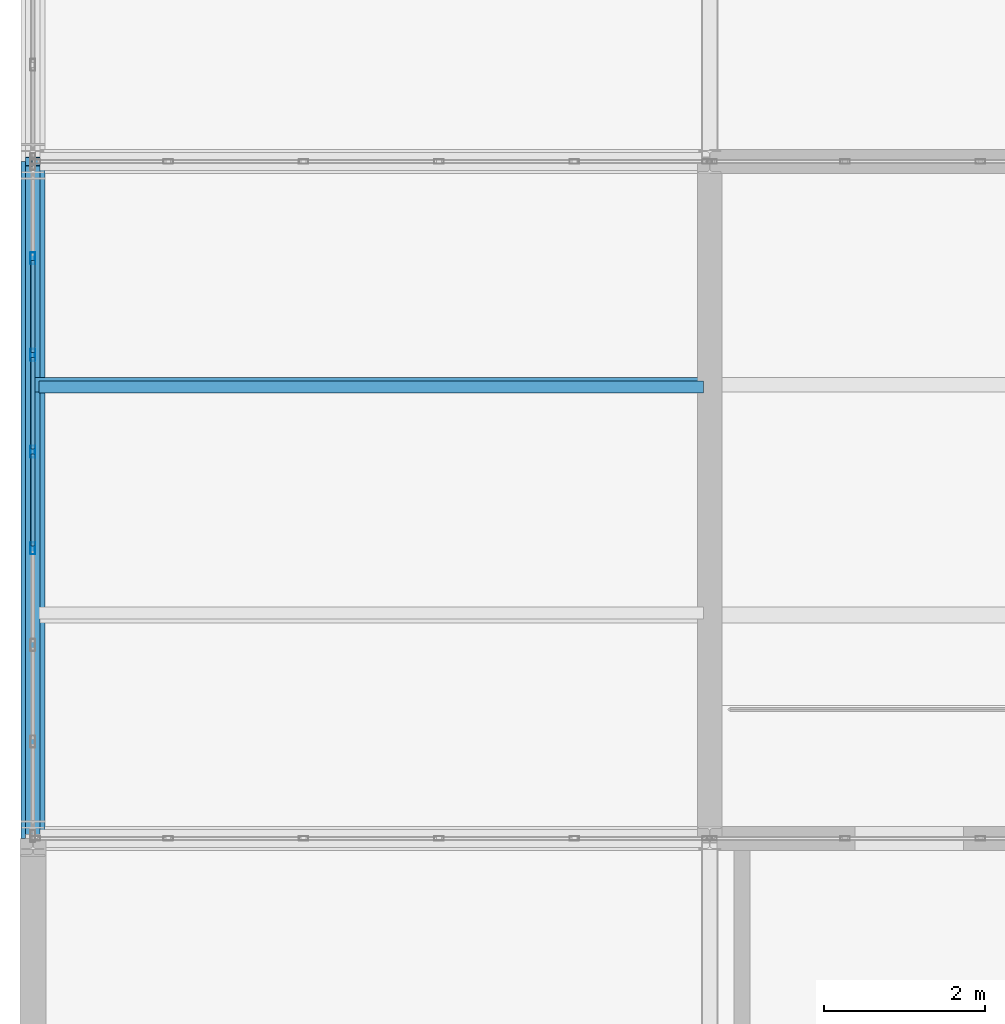
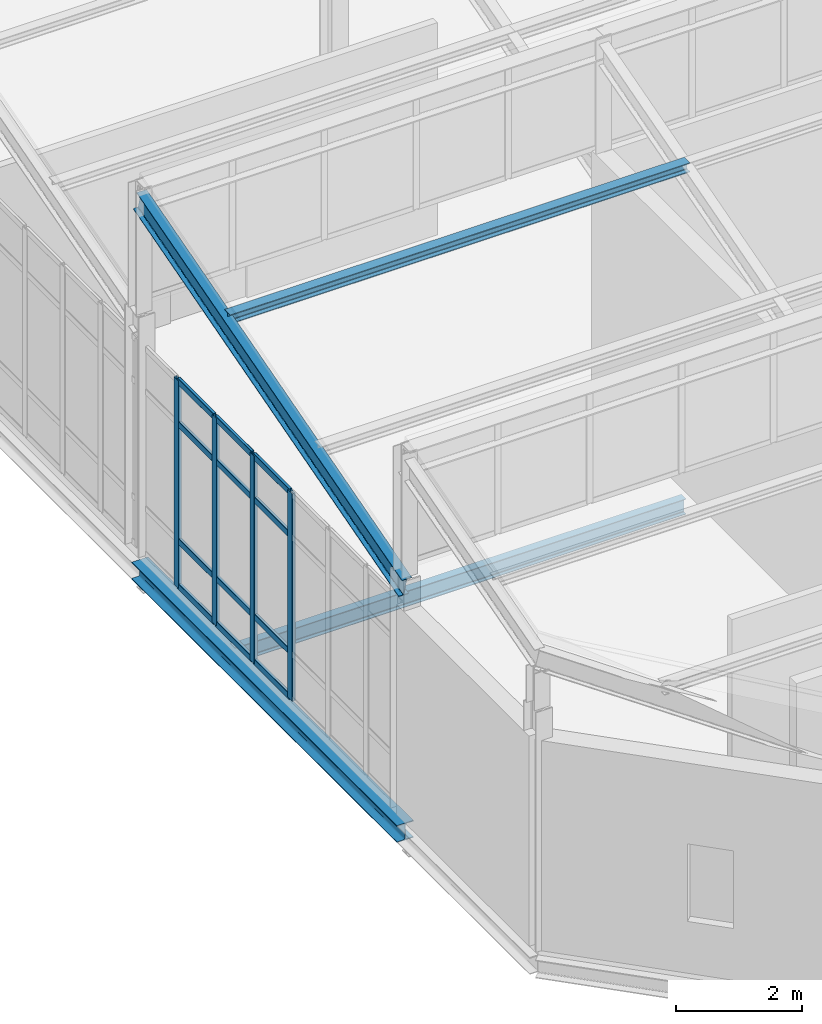
# One storey, part 7 of 53: 17 members, 3 beams, 1 element without a shape of its own.
"""IFC4 building model written with IfcOpenShell, lengths in metres."""

from ifc_helpers import new_model, si_unit, direction, frame, origin, origin_2d, place, context, subcontext, project, spatial, hollow_rectangle, i_section, extrude, material, layer, layer_set, material_profile, profile_set, type_object, element, aggregate, save


model = new_model("IFC4")

# Units and contexts
model_context = context("Model", 3, precision=1e-05, world=origin(), true_north=direction((0.0, 1.0)))
body_context = subcontext(model_context, "Body", "Model", "MODEL_VIEW")
ifc_project = project(units=[si_unit("LENGTHUNIT", "METRE"), si_unit("AREAUNIT", "SQUARE_METRE"), si_unit("VOLUMEUNIT", "CUBIC_METRE"), si_unit("PLANEANGLEUNIT", "RADIAN"), si_unit("MASSUNIT", "GRAM", prefix="KILO")], contexts=[model_context])

# Site, building, storey
site_placement = place(None, origin())
site = spatial("IfcSite", under=ifc_project, at=site_placement, CompositionType="ELEMENT")
building_placement = place(site_placement, origin())
building = spatial("IfcBuilding", under=site, at=building_placement, Name="Qalvenar Corner Mobility Hub", CompositionType="ELEMENT")
storey_placement = place(building_placement, frame((0.0, 0.0, 26.39990234375)))
storey = spatial("IfcBuildingStorey", under=building, at=storey_placement, Name="L06", CompositionType="ELEMENT", Elevation=26.39990234375)

# Beams
ifc_material_1 = material(Name="Steel S355", Category="steel")
ifc_material_profile_1 = material_profile(ifc_material_1, i_section(OverallWidth=0.179931640625, OverallDepth=0.39990234375, WebThickness=0.008544921875, FlangeThickness=0.013427734375, FilletRadius=0.02099609375, at=origin_2d()), Name="IPE400")
ifc_profile_set_1 = profile_set([ifc_material_profile_1], Name="Steel S355")
beam_type_1 = type_object("IfcBeamType", Name="BM-IPE400", PredefinedType="BEAM", material=ifc_profile_set_1)
beam_1_placement = place(storey_placement, frame((0.0, 8.39990234375, 4.340087890625), z_axis=(0.0, 0.961528165748, 0.274706364092), x_axis=(-1.0, 0.0, 0.0)))
element("IfcBeam", 1, at=beam_1_placement, inside=storey, type_object=beam_type_1, Name="Sawtooth Rafter V3RF-2-1", PredefinedType="BEAM", context=body_context, shape_type="SweptSolid", body=[
    extrude(i_section(OverallWidth=0.179931640625, OverallDepth=0.39990234375, WebThickness=0.008544921875, FlangeThickness=0.013427734375, FilletRadius=0.02099609375, at=origin_2d()), origin(), (0.0, 0.0, 1.0), 8.736328125),
])
ifc_material_profile_2 = material_profile(ifc_material_1, i_section(OverallWidth=0.14990234375, OverallDepth=0.300048828125, WebThickness=0.007080078125, FlangeThickness=0.0107421875, FilletRadius=0.014892578125, at=origin_2d()), Name="IPE300")
ifc_profile_set_2 = profile_set([ifc_material_profile_2], Name="Steel S355")
beam_type_2 = type_object("IfcBeamType", Name="BM-JST300", PredefinedType="JOIST", material=ifc_profile_set_2)
beam_2_placement = place(storey_placement, frame((0.077880859375, 14.0, -0.369873046875), z_axis=(1.0, 0.0, 0.0), x_axis=(0.0, 1.0, 0.0)))
element("IfcBeam", 2, at=beam_2_placement, inside=storey, type_object=beam_type_2, Name="Composite Floor Joist J-3105", PredefinedType="JOIST", context=body_context, shape_type="SweptSolid", body=[
    extrude(i_section(OverallWidth=0.14990234375, OverallDepth=0.300048828125, WebThickness=0.007080078125, FlangeThickness=0.0107421875, FilletRadius=0.014892578125, at=origin_2d()), origin(), (0.0, 0.0, 1.0), 8.244140625),
])
ifc_material_profile_3 = material_profile(ifc_material_1, i_section(OverallWidth=0.300048828125, OverallDepth=0.330078125, WebThickness=0.009521484375, FlangeThickness=0.0166015625, FilletRadius=0.027099609375, at=origin_2d()), Name="HEA340")
ifc_profile_set_3 = profile_set([ifc_material_profile_3], Name="Steel S355")
beam_type_3 = type_object("IfcBeamType", Name="BM-SPN340", PredefinedType="SPANDREL", material=ifc_profile_set_3)
beam_3_placement = place(storey_placement, frame((0.0, 8.39990234375, -0.385009765625), z_axis=(0.0, 1.0, 0.0), x_axis=(-1.0, 0.0, 0.0)))
element("IfcBeam", 3, at=beam_3_placement, inside=storey, type_object=beam_type_3, Name="Primary Steel Girder GY-3078", PredefinedType="SPANDREL", context=body_context, shape_type="SweptSolid", body=[
    extrude(i_section(OverallWidth=0.300048828125, OverallDepth=0.330078125, WebThickness=0.009521484375, FlangeThickness=0.0166015625, FilletRadius=0.027099609375, at=origin_2d()), origin(), (0.0, 0.0, 1.0), 8.400146484375),
])

# Curtain wall, members
ifc_material_2 = material(Name="Anodised Aluminium and Low-E Glazing", Category="aluminium")
ifc_layer = layer(ifc_material_2, 0.14990234375)
ifc_layer_set = layer_set([ifc_layer], Name="Anodised Aluminium and Low-E Glazing")
curtain_wall_type = type_object("IfcCurtainWallType", Name="CW-CIV-84X40", PredefinedType="NOTDEFINED", material=ifc_layer_set)
curtain_wall_placement = place(storey_placement, origin())
curtain_wall = element("IfcCurtainWall", 4, at=curtain_wall_placement, inside=storey, type_object=curtain_wall_type, Name="Glazed Curtain Wall CW-V3-L06-W1", PredefinedType="NOTDEFINED")
ifc_material_3 = material(Name="Anodised Aluminium 6063-T6", Category="aluminium")
ifc_material_profile_4 = material_profile(ifc_material_3, hollow_rectangle(XDim=0.06005859375, YDim=0.14990234375, WallThickness=0.00390625, InnerFilletRadius=0.00390625, OuterFilletRadius=0.008056640625, at=origin_2d()), Name="RHS150x60x4")
ifc_profile_set_4 = profile_set([ifc_material_profile_4], Name="Anodised Aluminium 6063-T6")
member_type_1 = type_object("IfcMemberType", Name="CW-MUL150", PredefinedType="MULLION", material=ifc_profile_set_4)
member_1_placement = place(storey_placement, frame((0.0, 15.60009765625, 0.0), z_axis=(0.0, 0.0, 1.0), x_axis=(1.0, 0.0, 0.0)))
member_1 = element("IfcMember", 5, at=member_1_placement, type_object=member_type_1, Name="CW-05 mullion 2", PredefinedType="MULLION", context=body_context, shape_type="SweptSolid", body=[
    extrude(hollow_rectangle(XDim=0.06005859375, YDim=0.14990234375, WallThickness=0.00390625, InnerFilletRadius=0.00390625, OuterFilletRadius=0.008056640625, at=origin_2d()), origin(), (0.0, 0.0, 1.0), 4.010009765625),
])
member_2_placement = place(storey_placement, frame((0.0, 14.39990234375, 0.0), z_axis=(0.0, 0.0, 1.0), x_axis=(1.0, 0.0, 0.0)))
member_2 = element("IfcMember", 6, at=member_2_placement, type_object=member_type_1, Name="CW-05 mullion 3", PredefinedType="MULLION", context=body_context, shape_type="SweptSolid", body=[
    extrude(hollow_rectangle(XDim=0.06005859375, YDim=0.14990234375, WallThickness=0.00390625, InnerFilletRadius=0.00390625, OuterFilletRadius=0.008056640625, at=origin_2d()), origin(), (0.0, 0.0, 1.0), 4.010009765625),
])
member_3_placement = place(storey_placement, frame((0.0, 13.199951171875, 0.0), z_axis=(0.0, 0.0, 1.0), x_axis=(1.0, 0.0, 0.0)))
member_3 = element("IfcMember", 7, at=member_3_placement, type_object=member_type_1, Name="CW-05 mullion 4", PredefinedType="MULLION", context=body_context, shape_type="SweptSolid", body=[
    extrude(hollow_rectangle(XDim=0.06005859375, YDim=0.14990234375, WallThickness=0.00390625, InnerFilletRadius=0.00390625, OuterFilletRadius=0.008056640625, at=origin_2d()), origin(), (0.0, 0.0, 1.0), 4.010009765625),
])
member_4_placement = place(storey_placement, frame((0.0, 12.0, 0.0), z_axis=(0.0, 0.0, 1.0), x_axis=(1.0, 0.0, 0.0)))
member_4 = element("IfcMember", 8, at=member_4_placement, type_object=member_type_1, Name="CW-05 mullion 5", PredefinedType="MULLION", context=body_context, shape_type="SweptSolid", body=[
    extrude(hollow_rectangle(XDim=0.06005859375, YDim=0.14990234375, WallThickness=0.00390625, InnerFilletRadius=0.00390625, OuterFilletRadius=0.008056640625, at=origin_2d()), origin(), (0.0, 0.0, 1.0), 4.010009765625),
])
ifc_material_profile_5 = material_profile(ifc_material_3, hollow_rectangle(XDim=0.054931640625, YDim=0.1201171875, WallThickness=0.00341796875, InnerFilletRadius=0.00341796875, OuterFilletRadius=0.007080078125, at=origin_2d()), Name="RHS120x55x3.5")
ifc_profile_set_5 = profile_set([ifc_material_profile_5], Name="Anodised Aluminium 6063-T6")
member_type_2 = type_object("IfcMemberType", Name="CW-TRN120", PredefinedType="USERDEFINED", material=ifc_profile_set_5)
member_5_placement = place(storey_placement, frame((0.0, 15.570068359375, 0.027587890625), z_axis=(0.0, -1.0, 0.0), x_axis=(1.0, 0.0, 0.0)))
member_5 = element("IfcMember", 9, at=member_5_placement, type_object=member_type_2, Name="CW-05 transom 2.1", ObjectType="TRANSOM", PredefinedType="USERDEFINED", context=body_context, shape_type="SweptSolid", body=[
    extrude(hollow_rectangle(XDim=0.054931640625, YDim=0.1201171875, WallThickness=0.00341796875, InnerFilletRadius=0.00341796875, OuterFilletRadius=0.007080078125, at=origin_2d()), origin(), (0.0, 0.0, 1.0), 1.14013671875),
])
member_6_placement = place(storey_placement, frame((0.0, 15.570068359375, 0.900146484375), z_axis=(0.0, -1.0, 0.0), x_axis=(1.0, 0.0, 0.0)))
member_6 = element("IfcMember", 10, at=member_6_placement, type_object=member_type_2, Name="CW-05 transom 2.2", ObjectType="TRANSOM", PredefinedType="USERDEFINED", context=body_context, shape_type="SweptSolid", body=[
    extrude(hollow_rectangle(XDim=0.054931640625, YDim=0.1201171875, WallThickness=0.00341796875, InnerFilletRadius=0.00341796875, OuterFilletRadius=0.007080078125, at=origin_2d()), origin(), (0.0, 0.0, 1.0), 1.14013671875),
])
member_7_placement = place(storey_placement, frame((0.0, 15.570068359375, 3.16015625), z_axis=(0.0, -1.0, 0.0), x_axis=(1.0, 0.0, 0.0)))
member_7 = element("IfcMember", 11, at=member_7_placement, type_object=member_type_2, Name="CW-05 transom 2.3", ObjectType="TRANSOM", PredefinedType="USERDEFINED", context=body_context, shape_type="SweptSolid", body=[
    extrude(hollow_rectangle(XDim=0.054931640625, YDim=0.1201171875, WallThickness=0.00341796875, InnerFilletRadius=0.00341796875, OuterFilletRadius=0.007080078125, at=origin_2d()), origin(), (0.0, 0.0, 1.0), 1.14013671875),
])
member_8_placement = place(storey_placement, frame((0.0, 15.570068359375, 3.982666015625), z_axis=(0.0, -1.0, 0.0), x_axis=(1.0, 0.0, 0.0)))
member_8 = element("IfcMember", 12, at=member_8_placement, type_object=member_type_2, Name="CW-05 transom 2.4", ObjectType="TRANSOM", PredefinedType="USERDEFINED", context=body_context, shape_type="SweptSolid", body=[
    extrude(hollow_rectangle(XDim=0.054931640625, YDim=0.1201171875, WallThickness=0.00341796875, InnerFilletRadius=0.00341796875, OuterFilletRadius=0.007080078125, at=origin_2d()), origin(), (0.0, 0.0, 1.0), 1.14013671875),
])
member_9_placement = place(storey_placement, frame((0.0, 14.3701171875, 0.027587890625), z_axis=(0.0, -1.0, 0.0), x_axis=(1.0, 0.0, 0.0)))
member_9 = element("IfcMember", 13, at=member_9_placement, type_object=member_type_2, Name="CW-05 transom 3.1", ObjectType="TRANSOM", PredefinedType="USERDEFINED", context=body_context, shape_type="SweptSolid", body=[
    extrude(hollow_rectangle(XDim=0.054931640625, YDim=0.1201171875, WallThickness=0.00341796875, InnerFilletRadius=0.00341796875, OuterFilletRadius=0.007080078125, at=origin_2d()), origin(), (0.0, 0.0, 1.0), 1.14013671875),
])
member_10_placement = place(storey_placement, frame((0.0, 14.3701171875, 0.900146484375), z_axis=(0.0, -1.0, 0.0), x_axis=(1.0, 0.0, 0.0)))
member_10 = element("IfcMember", 14, at=member_10_placement, type_object=member_type_2, Name="CW-05 transom 3.2", ObjectType="TRANSOM", PredefinedType="USERDEFINED", context=body_context, shape_type="SweptSolid", body=[
    extrude(hollow_rectangle(XDim=0.054931640625, YDim=0.1201171875, WallThickness=0.00341796875, InnerFilletRadius=0.00341796875, OuterFilletRadius=0.007080078125, at=origin_2d()), origin(), (0.0, 0.0, 1.0), 1.14013671875),
])
member_11_placement = place(storey_placement, frame((0.0, 14.3701171875, 3.16015625), z_axis=(0.0, -1.0, 0.0), x_axis=(1.0, 0.0, 0.0)))
member_11 = element("IfcMember", 15, at=member_11_placement, type_object=member_type_2, Name="CW-05 transom 3.3", ObjectType="TRANSOM", PredefinedType="USERDEFINED", context=body_context, shape_type="SweptSolid", body=[
    extrude(hollow_rectangle(XDim=0.054931640625, YDim=0.1201171875, WallThickness=0.00341796875, InnerFilletRadius=0.00341796875, OuterFilletRadius=0.007080078125, at=origin_2d()), origin(), (0.0, 0.0, 1.0), 1.14013671875),
])
member_12_placement = place(storey_placement, frame((0.0, 14.3701171875, 3.982666015625), z_axis=(0.0, -1.0, 0.0), x_axis=(1.0, 0.0, 0.0)))
member_12 = element("IfcMember", 16, at=member_12_placement, type_object=member_type_2, Name="CW-05 transom 3.4", ObjectType="TRANSOM", PredefinedType="USERDEFINED", context=body_context, shape_type="SweptSolid", body=[
    extrude(hollow_rectangle(XDim=0.054931640625, YDim=0.1201171875, WallThickness=0.00341796875, InnerFilletRadius=0.00341796875, OuterFilletRadius=0.007080078125, at=origin_2d()), origin(), (0.0, 0.0, 1.0), 1.14013671875),
])
member_13_placement = place(storey_placement, frame((0.0, 13.169921875, 0.027587890625), z_axis=(0.0, -1.0, 0.0), x_axis=(1.0, 0.0, 0.0)))
member_13 = element("IfcMember", 17, at=member_13_placement, type_object=member_type_2, Name="CW-05 transom 4.1", ObjectType="TRANSOM", PredefinedType="USERDEFINED", context=body_context, shape_type="SweptSolid", body=[
    extrude(hollow_rectangle(XDim=0.054931640625, YDim=0.1201171875, WallThickness=0.00341796875, InnerFilletRadius=0.00341796875, OuterFilletRadius=0.007080078125, at=origin_2d()), origin(), (0.0, 0.0, 1.0), 1.139892578125),
])
member_14_placement = place(storey_placement, frame((0.0, 13.169921875, 0.900146484375), z_axis=(0.0, -1.0, 0.0), x_axis=(1.0, 0.0, 0.0)))
member_14 = element("IfcMember", 18, at=member_14_placement, type_object=member_type_2, Name="CW-05 transom 4.2", ObjectType="TRANSOM", PredefinedType="USERDEFINED", context=body_context, shape_type="SweptSolid", body=[
    extrude(hollow_rectangle(XDim=0.054931640625, YDim=0.1201171875, WallThickness=0.00341796875, InnerFilletRadius=0.00341796875, OuterFilletRadius=0.007080078125, at=origin_2d()), origin(), (0.0, 0.0, 1.0), 1.139892578125),
])
member_15_placement = place(storey_placement, frame((0.0, 13.169921875, 3.16015625), z_axis=(0.0, -1.0, 0.0), x_axis=(1.0, 0.0, 0.0)))
member_15 = element("IfcMember", 19, at=member_15_placement, type_object=member_type_2, Name="CW-05 transom 4.3", ObjectType="TRANSOM", PredefinedType="USERDEFINED", context=body_context, shape_type="SweptSolid", body=[
    extrude(hollow_rectangle(XDim=0.054931640625, YDim=0.1201171875, WallThickness=0.00341796875, InnerFilletRadius=0.00341796875, OuterFilletRadius=0.007080078125, at=origin_2d()), origin(), (0.0, 0.0, 1.0), 1.139892578125),
])
member_16_placement = place(storey_placement, frame((0.0, 13.169921875, 3.982666015625), z_axis=(0.0, -1.0, 0.0), x_axis=(1.0, 0.0, 0.0)))
member_16 = element("IfcMember", 20, at=member_16_placement, type_object=member_type_2, Name="CW-05 transom 4.4", ObjectType="TRANSOM", PredefinedType="USERDEFINED", context=body_context, shape_type="SweptSolid", body=[
    extrude(hollow_rectangle(XDim=0.054931640625, YDim=0.1201171875, WallThickness=0.00341796875, InnerFilletRadius=0.00341796875, OuterFilletRadius=0.007080078125, at=origin_2d()), origin(), (0.0, 0.0, 1.0), 1.139892578125),
])
aggregate(curtain_wall, [member_1, member_2, member_3, member_4, member_5, member_6, member_7, member_8, member_9, member_10, member_11, member_12, member_13, member_14, member_15, member_16])

# Member
ifc_material_profile_6 = material_profile(ifc_material_1, i_section(OverallWidth=0.179931640625, OverallDepth=0.179931640625, WebThickness=0.008544921875, FlangeThickness=0.013916015625, FilletRadius=0.014892578125, at=origin_2d()), Name="HEB180")
ifc_profile_set_6 = profile_set([ifc_material_profile_6], Name="Steel S355")
member_type_3 = type_object("IfcMemberType", Name="PR-RHS180", PredefinedType="PURLIN", material=ifc_profile_set_6)
member_17_placement = place(storey_placement, frame((0.0, 14.028076171875, 6.148193359375), z_axis=(1.0, 0.0, 0.0), x_axis=(0.0, 1.0, 0.0)))
element("IfcMember", 21, at=member_17_placement, inside=storey, type_object=member_type_3, Name="Sawtooth Roof Purlin PR-V3-2-1-67", PredefinedType="PURLIN", context=body_context, shape_type="SweptSolid", body=[
    extrude(i_section(OverallWidth=0.179931640625, OverallDepth=0.179931640625, WebThickness=0.008544921875, FlangeThickness=0.013916015625, FilletRadius=0.014892578125, at=origin_2d()), origin(), (0.0, 0.0, 1.0), 8.39990234375),
])

save(model, "model.ifc")
